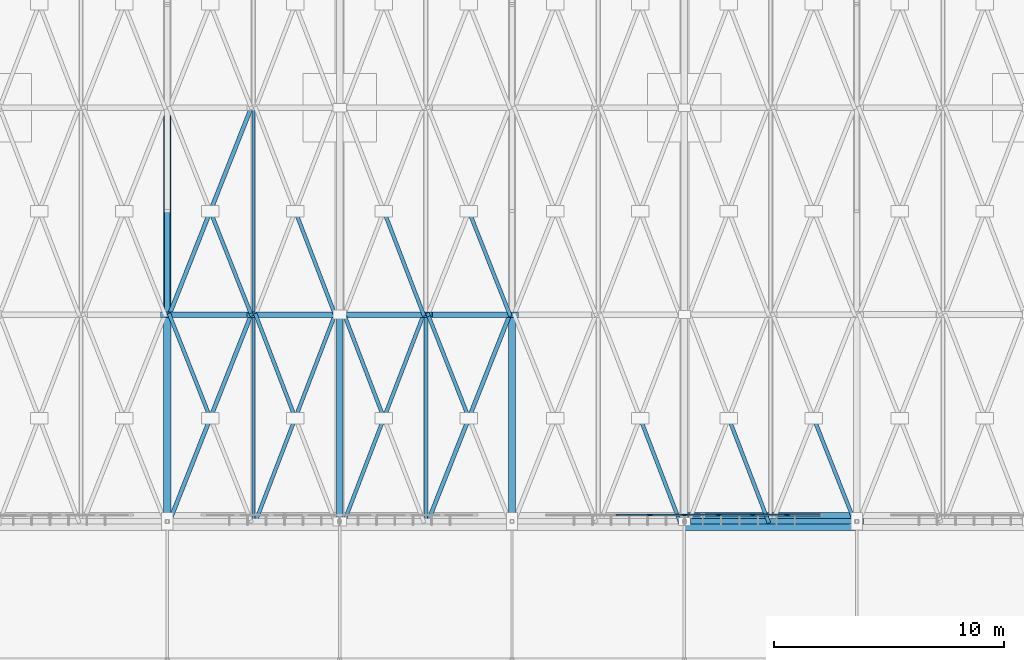
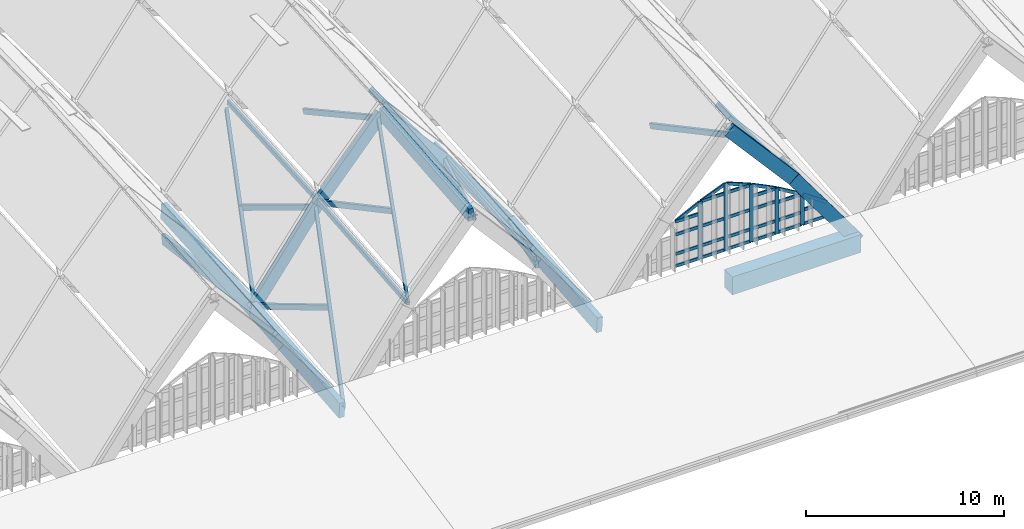
# One storey, part 35 of 93: 52 members, 11 beams, 1 element without a shape of its own.
"""IFC4 building model written with IfcOpenShell, lengths in metres."""

from ifc_helpers import new_model, si_unit, direction, frame, origin, origin_2d, place, context, subcontext, project, spatial, rectangle, extrude, material, material_profile, profile_set, type_object, element, aggregate, save


model = new_model("IFC4")

# Units and contexts
model_context = context("Model", 3, precision=1e-05, world=origin(), true_north=direction((0.0, 1.0)))
body_context = subcontext(model_context, "Body", "Model", "MODEL_VIEW")
ifc_project = project(units=[si_unit("LENGTHUNIT", "METRE"), si_unit("AREAUNIT", "SQUARE_METRE"), si_unit("VOLUMEUNIT", "CUBIC_METRE"), si_unit("PLANEANGLEUNIT", "RADIAN"), si_unit("MASSUNIT", "GRAM", prefix="KILO")], contexts=[model_context])

# Site, building, storey
site_placement = place(None, origin())
site = spatial("IfcSite", under=ifc_project, at=site_placement, CompositionType="ELEMENT")
building_placement = place(site_placement, origin())
building = spatial("IfcBuilding", under=site, at=building_placement, Name="Vourika Railside Aquatics Centre", CompositionType="ELEMENT")
storey_placement = place(building_placement, frame((0.0, 0.0, 21.89990234375)))
storey = spatial("IfcBuildingStorey", under=building, at=storey_placement, Name="Roof", CompositionType="ELEMENT", Elevation=21.89990234375)

# Beams
ifc_material_1 = material(Name="Glulam GL32h", Category="wood")
ifc_material_profile_1 = material_profile(ifc_material_1, rectangle(XDim=0.239990234375, YDim=0.719970703125, at=origin_2d()), Name="GL32h 240x720")
ifc_profile_set_1 = profile_set([ifc_material_profile_1], Name="Glulam GL32h")
beam_type_1 = type_object("IfcBeamType", Name="BM-GL-ARCH-240x720", PredefinedType="BEAM", material=ifc_profile_set_1)
beam_1_placement = place(storey_placement, frame((96.0, 21.0, -10.89990234375), z_axis=(0.592383087934, 0.0, 0.805656426233), x_axis=(0.0, 1.0, 0.0)))
element("IfcBeam", 1, at=beam_1_placement, inside=storey, type_object=beam_type_1, Name="Pointed Glulam Vault Arch Rib GAR-0141", PredefinedType="BEAM", context=body_context, shape_type="SweptSolid", body=[
    extrude(rectangle(XDim=0.239990234375, YDim=0.719970703125, at=origin_2d()), origin(), (0.0, 0.0, 1.0), 6.330322265625),
])
for number, where, z_axis, x_axis, name in (
    (2, (99.75, 21.0, -5.7998046875), (0.657279819973, 0.0, 0.753646626912), (0.0, 1.0, 0.0), "Pointed Glulam Vault Arch Rib GAR-0142"),
    (3, (103.5, 21.0, -1.5), (0.657279819973, 0.0, -0.753646626912), (0.0, 1.0, 0.0), "Pointed Glulam Vault Arch Rib GAR-0143"),
):
    element("IfcBeam", number, at=place(storey_placement, frame(where, z_axis=z_axis, x_axis=x_axis)), inside=storey, type_object=beam_type_1, Name=name, PredefinedType="BEAM", context=body_context, shape_type="SweptSolid", body=[
        extrude(rectangle(XDim=0.239990234375, YDim=0.719970703125, at=origin_2d()), origin(), (0.0, 0.0, 1.0), 5.705322265625),
    ])
beam_2_placement = place(storey_placement, frame((107.25, 21.0, -5.7998046875), z_axis=(0.592383087934, 0.0, -0.805656426233), x_axis=(0.0, 1.0, 0.0)))
element("IfcBeam", 4, at=beam_2_placement, inside=storey, type_object=beam_type_1, Name="Pointed Glulam Vault Arch Rib GAR-0144", PredefinedType="BEAM", context=body_context, shape_type="SweptSolid", body=[
    extrude(rectangle(XDim=0.239990234375, YDim=0.719970703125, at=origin_2d()), origin(), (0.0, 0.0, 1.0), 6.330322265625),
])
beam_3_placement = place(storey_placement, frame((118.5, 12.0, -2.2998046875), z_axis=(0.657258623263, 0.0, -0.75366511273), x_axis=(0.0, 1.0, 0.0)))
element("IfcBeam", 5, at=beam_3_placement, inside=storey, type_object=beam_type_1, Name="Pointed Glulam Vault Arch Rib GAR-0173", PredefinedType="BEAM", context=body_context, shape_type="SweptSolid", body=[
    extrude(rectangle(XDim=0.239990234375, YDim=0.719970703125, at=origin_2d()), origin(), (0.0, 0.0, 1.0), 5.70556640625),
])
beam_4_placement = place(storey_placement, frame((122.25, 12.0, -6.599853515625), z_axis=(0.592383087934, 0.0, -0.805656426233), x_axis=(0.0, 1.0, 0.0)))
element("IfcBeam", 6, at=beam_4_placement, inside=storey, type_object=beam_type_1, Name="Pointed Glulam Vault Arch Rib GAR-0174", PredefinedType="BEAM", context=body_context, shape_type="SweptSolid", body=[
    extrude(rectangle(XDim=0.239990234375, YDim=0.719970703125, at=origin_2d()), origin(), (0.0, 0.0, 1.0), 6.330322265625),
])
ifc_material_profile_2 = material_profile(ifc_material_1, rectangle(XDim=0.280029296875, YDim=0.800048828125, at=origin_2d()), Name="GL32h 280x800")
ifc_profile_set_2 = profile_set([ifc_material_profile_2], Name="Glulam GL32h")
beam_type_2 = type_object("IfcBeamType", Name="BM-GL-RIDGE-280x800", PredefinedType="BEAM", material=ifc_profile_set_2)
beam_5_placement = place(storey_placement, frame((103.5, 12.0, -2.2998046875), z_axis=(0.0, 0.996074546839, 0.088518343518), x_axis=(-1.0, 0.0, 0.0)))
element("IfcBeam", 7, at=beam_5_placement, inside=storey, type_object=beam_type_2, Name="Vault Pointed Ridge Beam GRB-0165", PredefinedType="BEAM", context=body_context, shape_type="SweptSolid", body=[
    extrude(rectangle(XDim=0.280029296875, YDim=0.800048828125, at=origin_2d()), origin(), (0.0, 0.0, 1.0), 9.035400390625),
])
ifc_material_profile_3 = material_profile(ifc_material_1, rectangle(XDim=0.320068359375, YDim=0.9599609375, at=origin_2d()), Name="GL32h 320x960")
ifc_profile_set_3 = profile_set([ifc_material_profile_3], Name="Glulam GL32h")
beam_type_3 = type_object("IfcBeamType", Name="BM-GL-VAL-320x960", PredefinedType="BEAM", material=ifc_profile_set_3)
beam_6_placement = place(storey_placement, frame((96.0, 12.0, -11.699951171875), z_axis=(0.0, 0.996072164085, 0.088545151956), x_axis=(-1.0, 0.0, 0.0)))
element("IfcBeam", 8, at=beam_6_placement, inside=storey, type_object=beam_type_3, Name="Vault Valley Arch Rib VTR-025", PredefinedType="BEAM", context=body_context, shape_type="SweptSolid", body=[
    extrude(rectangle(XDim=0.320068359375, YDim=0.9599609375, at=origin_2d()), origin(), (0.0, 0.0, 1.0), 9.035400390625),
])
beam_7_placement = place(storey_placement, frame((96.0, 21.0, -10.89990234375), z_axis=(0.0, 0.997889191565, 0.064939674766), x_axis=(-1.0, 0.0, 0.0)))
element("IfcBeam", 9, at=beam_7_placement, inside=storey, type_object=beam_type_3, Name="Vault Valley Arch Rib VTR-026", PredefinedType="BEAM", context=body_context, shape_type="SweptSolid", body=[
    extrude(rectangle(XDim=0.320068359375, YDim=0.9599609375, at=origin_2d()), origin(), (0.0, 0.0, 1.0), 9.01904296875),
])
beam_8_placement = place(storey_placement, frame((111.0, 12.0, -11.699951171875), z_axis=(0.0, 0.996072164085, 0.088545151956), x_axis=(-1.0, 0.0, 0.0)))
element("IfcBeam", 10, at=beam_8_placement, inside=storey, type_object=beam_type_3, Name="Vault Valley Arch Rib VTR-031", PredefinedType="BEAM", context=body_context, shape_type="SweptSolid", body=[
    extrude(rectangle(XDim=0.320068359375, YDim=0.9599609375, at=origin_2d()), origin(), (0.0, 0.0, 1.0), 9.035400390625),
])
ifc_material_2 = material(Name="Concrete C40/50", Category="concrete")
ifc_material_profile_4 = material_profile(ifc_material_2, rectangle(XDim=0.800048828125, YDim=1.10009765625, at=origin_2d()), Name="RC 800x1100")
ifc_profile_set_4 = profile_set([ifc_material_profile_4], Name="Concrete C40/50")
beam_type_4 = type_object("IfcBeamType", Name="BM-RING-800x1100", PredefinedType="BEAM", material=ifc_profile_set_4)
beam_9_placement = place(storey_placement, frame((118.5, 12.0, -11.699951171875), z_axis=(1.0, 0.0, 0.0), x_axis=(0.0, 1.0, 0.0)))
element("IfcBeam", 11, at=beam_9_placement, inside=storey, type_object=beam_type_4, Name="Vault Springing Ring Beam S (118.5-126.0)", PredefinedType="BEAM", context=body_context, shape_type="SweptSolid", body=[
    extrude(rectangle(XDim=0.800048828125, YDim=1.10009765625, at=origin_2d()), origin(), (0.0, 0.0, 1.0), 7.5),
])

# Curtain wall, members
ifc_material_3 = material(Name="Anodized thermally broken aluminium", Category="aluminium")
curtain_wall_type = type_object("IfcCurtainWallType", Name="CW-VLTS1", PredefinedType="NOTDEFINED", material=ifc_material_3)
curtain_wall_placement = place(storey_placement, origin())
curtain_wall = element("IfcCurtainWall", 12, at=curtain_wall_placement, inside=storey, type_object=curtain_wall_type, Name="South Boulevard Pointed-Arch Clerestory Curtain Wall Bay 6", PredefinedType="NOTDEFINED")
ifc_material_4 = material(Name="Anodized aluminium mullion", Category="aluminium")
ifc_material_profile_5 = material_profile(ifc_material_4, rectangle(XDim=0.08203125, YDim=0.235107421875, at=origin_2d()), Name="ALU-M 82x235")
ifc_profile_set_5 = profile_set([ifc_material_profile_5], Name="Anodized aluminium mullion")
member_type_1 = type_object("IfcMemberType", Name="CWM-VLTS1", PredefinedType="MULLION", material=ifc_profile_set_5)
member_1_placement = place(storey_placement, frame((117.012451171875, 12.280029296875, -9.8798828125), z_axis=(0.0, 0.0, 1.0), x_axis=(0.0, 1.0, 0.0)))
member_1 = element("IfcMember", 13, at=member_1_placement, type_object=member_type_1, Name="CW03 arch mullion 4", PredefinedType="MULLION", context=body_context, shape_type="SweptSolid", body=[
    extrude(rectangle(XDim=0.08203125, YDim=0.235107421875, at=origin_2d()), origin(), (0.0, 0.0, 1.0), 3.531005859375),
])
member_2_placement = place(storey_placement, frame((118.5, 12.280029296875, -9.8798828125), z_axis=(0.0, 0.0, 1.0), x_axis=(0.0, 1.0, 0.0)))
member_2 = element("IfcMember", 14, at=member_2_placement, type_object=member_type_1, Name="CW03 arch mullion 5", PredefinedType="MULLION", context=body_context, shape_type="SweptSolid", body=[
    extrude(rectangle(XDim=0.08203125, YDim=0.235107421875, at=origin_2d()), origin(), (0.0, 0.0, 1.0), 4.1298828125),
])
member_3_placement = place(storey_placement, frame((119.987548828125, 12.280029296875, -9.8798828125), z_axis=(0.0, 0.0, 1.0), x_axis=(0.0, 1.0, 0.0)))
member_3 = element("IfcMember", 15, at=member_3_placement, type_object=member_type_1, Name="CW03 arch mullion 6", PredefinedType="MULLION", context=body_context, shape_type="SweptSolid", body=[
    extrude(rectangle(XDim=0.08203125, YDim=0.235107421875, at=origin_2d()), origin(), (0.0, 0.0, 1.0), 3.531005859375),
])
member_4_placement = place(storey_placement, frame((121.47509765625, 12.280029296875, -9.8798828125), z_axis=(0.0, 0.0, 1.0), x_axis=(0.0, 1.0, 0.0)))
member_4 = element("IfcMember", 16, at=member_4_placement, type_object=member_type_1, Name="CW03 arch mullion 7", PredefinedType="MULLION", context=body_context, shape_type="SweptSolid", body=[
    extrude(rectangle(XDim=0.08203125, YDim=0.235107421875, at=origin_2d()), origin(), (0.0, 0.0, 1.0), 2.7890625),
])
member_5_placement = place(storey_placement, frame((122.96240234375, 12.280029296875, -9.8798828125), z_axis=(0.0, 0.0, 1.0), x_axis=(0.0, 1.0, 0.0)))
member_5 = element("IfcMember", 17, at=member_5_placement, type_object=member_type_1, Name="CW03 arch mullion 8", PredefinedType="MULLION", context=body_context, shape_type="SweptSolid", body=[
    extrude(rectangle(XDim=0.08203125, YDim=0.235107421875, at=origin_2d()), origin(), (0.0, 0.0, 1.0), 1.906005859375),
])
ifc_material_5 = material(Name="Anodized aluminium transom", Category="aluminium")
ifc_material_profile_6 = material_profile(ifc_material_5, rectangle(XDim=0.08203125, YDim=0.18505859375, at=origin_2d()), Name="ALU-T 82x185")
ifc_profile_set_6 = profile_set([ifc_material_profile_6], Name="Anodized aluminium transom")
member_type_2 = type_object("IfcMemberType", Name="CWT-VLTS1", PredefinedType="USERDEFINED", material=ifc_profile_set_6)
member_6_placement = place(storey_placement, frame((115.56591796875, 12.280029296875, -9.8388671875), z_axis=(1.0, 0.0, 0.0), x_axis=(0.0, 1.0, 0.0)))
member_6 = element("IfcMember", 18, at=member_6_placement, type_object=member_type_2, Name="CW03 transom 3.1", ObjectType="TRANSOM", PredefinedType="USERDEFINED", context=body_context, shape_type="SweptSolid", body=[
    extrude(rectangle(XDim=0.08203125, YDim=0.18505859375, at=origin_2d()), origin(), (0.0, 0.0, 1.0), 1.405517578125),
])
member_7_placement = place(storey_placement, frame((115.56591796875, 12.280029296875, -9.099853515625), z_axis=(1.0, 0.0, 0.0), x_axis=(0.0, 1.0, 0.0)))
member_7 = element("IfcMember", 19, at=member_7_placement, type_object=member_type_2, Name="CW03 transom 3.2", ObjectType="TRANSOM", PredefinedType="USERDEFINED", context=body_context, shape_type="SweptSolid", body=[
    extrude(rectangle(XDim=0.08203125, YDim=0.18505859375, at=origin_2d()), origin(), (0.0, 0.0, 1.0), 1.405517578125),
])
member_8_placement = place(storey_placement, frame((115.56591796875, 12.280029296875, -7.89990234375), z_axis=(1.0, 0.0, 0.0), x_axis=(0.0, 1.0, 0.0)))
member_8 = element("IfcMember", 20, at=member_8_placement, type_object=member_type_2, Name="CW03 transom 3.3", ObjectType="TRANSOM", PredefinedType="USERDEFINED", context=body_context, shape_type="SweptSolid", body=[
    extrude(rectangle(XDim=0.08203125, YDim=0.18505859375, at=origin_2d()), origin(), (0.0, 0.0, 1.0), 1.405517578125),
])
member_9_placement = place(storey_placement, frame((115.56591796875, 12.280029296875, -7.10888671875), z_axis=(1.0, 0.0, 0.0), x_axis=(0.0, 1.0, 0.0)))
member_9 = element("IfcMember", 21, at=member_9_placement, type_object=member_type_2, Name="CW03 transom 3.4", ObjectType="TRANSOM", PredefinedType="USERDEFINED", context=body_context, shape_type="SweptSolid", body=[
    extrude(rectangle(XDim=0.08203125, YDim=0.18505859375, at=origin_2d()), origin(), (0.0, 0.0, 1.0), 1.405517578125),
])
member_10_placement = place(storey_placement, frame((115.56591796875, 12.280029296875, -7.10888671875), z_axis=(0.895141289392, 0.0, 0.445782538942), x_axis=(0.0, 1.0, 0.0)))
member_10 = element("IfcMember", 22, at=member_10_placement, type_object=member_type_2, Name="CW03 arch chord transom 3", ObjectType="TRANSOM", PredefinedType="USERDEFINED", context=body_context, shape_type="SweptSolid", body=[
    extrude(rectangle(XDim=0.08203125, YDim=0.18505859375, at=origin_2d()), origin(), (0.0, 0.0, 1.0), 1.570068359375),
])
member_11_placement = place(storey_placement, frame((117.053466796875, 12.280029296875, -9.8388671875), z_axis=(1.0, 0.0, 0.0), x_axis=(0.0, 1.0, 0.0)))
member_11 = element("IfcMember", 23, at=member_11_placement, type_object=member_type_2, Name="CW03 transom 4.1", ObjectType="TRANSOM", PredefinedType="USERDEFINED", context=body_context, shape_type="SweptSolid", body=[
    extrude(rectangle(XDim=0.08203125, YDim=0.18505859375, at=origin_2d()), origin(), (0.0, 0.0, 1.0), 1.405517578125),
])
member_12_placement = place(storey_placement, frame((117.053466796875, 12.280029296875, -9.099853515625), z_axis=(1.0, 0.0, 0.0), x_axis=(0.0, 1.0, 0.0)))
member_12 = element("IfcMember", 24, at=member_12_placement, type_object=member_type_2, Name="CW03 transom 4.2", ObjectType="TRANSOM", PredefinedType="USERDEFINED", context=body_context, shape_type="SweptSolid", body=[
    extrude(rectangle(XDim=0.08203125, YDim=0.18505859375, at=origin_2d()), origin(), (0.0, 0.0, 1.0), 1.405517578125),
])
member_13_placement = place(storey_placement, frame((117.053466796875, 12.280029296875, -7.89990234375), z_axis=(1.0, 0.0, 0.0), x_axis=(0.0, 1.0, 0.0)))
member_13 = element("IfcMember", 25, at=member_13_placement, type_object=member_type_2, Name="CW03 transom 4.3", ObjectType="TRANSOM", PredefinedType="USERDEFINED", context=body_context, shape_type="SweptSolid", body=[
    extrude(rectangle(XDim=0.08203125, YDim=0.18505859375, at=origin_2d()), origin(), (0.0, 0.0, 1.0), 1.405517578125),
])
member_14_placement = place(storey_placement, frame((117.053466796875, 12.280029296875, -6.371826171875), z_axis=(1.0, 0.0, 0.0), x_axis=(0.0, 1.0, 0.0)))
member_14 = element("IfcMember", 26, at=member_14_placement, type_object=member_type_2, Name="CW03 transom 4.4", ObjectType="TRANSOM", PredefinedType="USERDEFINED", context=body_context, shape_type="SweptSolid", body=[
    extrude(rectangle(XDim=0.08203125, YDim=0.18505859375, at=origin_2d()), origin(), (0.0, 0.0, 1.0), 1.405517578125),
])
member_15_placement = place(storey_placement, frame((117.053466796875, 12.280029296875, -6.371826171875), z_axis=(0.927629742849, 0.0, 0.373501084579), x_axis=(0.0, 1.0, 0.0)))
member_15 = element("IfcMember", 27, at=member_15_placement, type_object=member_type_2, Name="CW03 arch chord transom 4", ObjectType="TRANSOM", PredefinedType="USERDEFINED", context=body_context, shape_type="SweptSolid", body=[
    extrude(rectangle(XDim=0.08203125, YDim=0.18505859375, at=origin_2d()), origin(), (0.0, 0.0, 1.0), 1.51513671875),
])
member_16_placement = place(storey_placement, frame((118.541015625, 12.280029296875, -9.8388671875), z_axis=(1.0, 0.0, 0.0), x_axis=(0.0, 1.0, 0.0)))
member_16 = element("IfcMember", 28, at=member_16_placement, type_object=member_type_2, Name="CW03 transom 5.1", ObjectType="TRANSOM", PredefinedType="USERDEFINED", context=body_context, shape_type="SweptSolid", body=[
    extrude(rectangle(XDim=0.08203125, YDim=0.18505859375, at=origin_2d()), origin(), (0.0, 0.0, 1.0), 1.405517578125),
])
member_17_placement = place(storey_placement, frame((118.541015625, 12.280029296875, -9.099853515625), z_axis=(1.0, 0.0, 0.0), x_axis=(0.0, 1.0, 0.0)))
member_17 = element("IfcMember", 29, at=member_17_placement, type_object=member_type_2, Name="CW03 transom 5.2", ObjectType="TRANSOM", PredefinedType="USERDEFINED", context=body_context, shape_type="SweptSolid", body=[
    extrude(rectangle(XDim=0.08203125, YDim=0.18505859375, at=origin_2d()), origin(), (0.0, 0.0, 1.0), 1.405517578125),
])
member_18_placement = place(storey_placement, frame((118.541015625, 12.280029296875, -7.89990234375), z_axis=(1.0, 0.0, 0.0), x_axis=(0.0, 1.0, 0.0)))
member_18 = element("IfcMember", 30, at=member_18_placement, type_object=member_type_2, Name="CW03 transom 5.3", ObjectType="TRANSOM", PredefinedType="USERDEFINED", context=body_context, shape_type="SweptSolid", body=[
    extrude(rectangle(XDim=0.08203125, YDim=0.18505859375, at=origin_2d()), origin(), (0.0, 0.0, 1.0), 1.405517578125),
])
member_19_placement = place(storey_placement, frame((118.541015625, 12.280029296875, -6.371826171875), z_axis=(1.0, 0.0, 0.0), x_axis=(0.0, 1.0, 0.0)))
member_19 = element("IfcMember", 31, at=member_19_placement, type_object=member_type_2, Name="CW03 transom 5.4", ObjectType="TRANSOM", PredefinedType="USERDEFINED", context=body_context, shape_type="SweptSolid", body=[
    extrude(rectangle(XDim=0.08203125, YDim=0.18505859375, at=origin_2d()), origin(), (0.0, 0.0, 1.0), 1.405517578125),
])
member_20_placement = place(storey_placement, frame((118.541015625, 12.280029296875, -5.805908203125), z_axis=(0.927629742849, 0.0, -0.373501084579), x_axis=(0.0, 1.0, 0.0)))
member_20 = element("IfcMember", 32, at=member_20_placement, type_object=member_type_2, Name="CW03 arch chord transom 5", ObjectType="TRANSOM", PredefinedType="USERDEFINED", context=body_context, shape_type="SweptSolid", body=[
    extrude(rectangle(XDim=0.08203125, YDim=0.18505859375, at=origin_2d()), origin(), (0.0, 0.0, 1.0), 1.51513671875),
])
member_21_placement = place(storey_placement, frame((120.028564453125, 12.280029296875, -9.8388671875), z_axis=(1.0, 0.0, 0.0), x_axis=(0.0, 1.0, 0.0)))
member_21 = element("IfcMember", 33, at=member_21_placement, type_object=member_type_2, Name="CW03 transom 6.1", ObjectType="TRANSOM", PredefinedType="USERDEFINED", context=body_context, shape_type="SweptSolid", body=[
    extrude(rectangle(XDim=0.08203125, YDim=0.18505859375, at=origin_2d()), origin(), (0.0, 0.0, 1.0), 1.405517578125),
])
member_22_placement = place(storey_placement, frame((120.028564453125, 12.280029296875, -9.099853515625), z_axis=(1.0, 0.0, 0.0), x_axis=(0.0, 1.0, 0.0)))
member_22 = element("IfcMember", 34, at=member_22_placement, type_object=member_type_2, Name="CW03 transom 6.2", ObjectType="TRANSOM", PredefinedType="USERDEFINED", context=body_context, shape_type="SweptSolid", body=[
    extrude(rectangle(XDim=0.08203125, YDim=0.18505859375, at=origin_2d()), origin(), (0.0, 0.0, 1.0), 1.405517578125),
])
member_23_placement = place(storey_placement, frame((120.028564453125, 12.280029296875, -7.89990234375), z_axis=(1.0, 0.0, 0.0), x_axis=(0.0, 1.0, 0.0)))
member_23 = element("IfcMember", 35, at=member_23_placement, type_object=member_type_2, Name="CW03 transom 6.3", ObjectType="TRANSOM", PredefinedType="USERDEFINED", context=body_context, shape_type="SweptSolid", body=[
    extrude(rectangle(XDim=0.08203125, YDim=0.18505859375, at=origin_2d()), origin(), (0.0, 0.0, 1.0), 1.405517578125),
])
member_24_placement = place(storey_placement, frame((120.028564453125, 12.280029296875, -7.10888671875), z_axis=(1.0, 0.0, 0.0), x_axis=(0.0, 1.0, 0.0)))
member_24 = element("IfcMember", 36, at=member_24_placement, type_object=member_type_2, Name="CW03 transom 6.4", ObjectType="TRANSOM", PredefinedType="USERDEFINED", context=body_context, shape_type="SweptSolid", body=[
    extrude(rectangle(XDim=0.08203125, YDim=0.18505859375, at=origin_2d()), origin(), (0.0, 0.0, 1.0), 1.405517578125),
])
member_25_placement = place(storey_placement, frame((120.028564453125, 12.280029296875, -6.408935546875), z_axis=(0.895141289392, 0.0, -0.445782538942), x_axis=(0.0, 1.0, 0.0)))
member_25 = element("IfcMember", 37, at=member_25_placement, type_object=member_type_2, Name="CW03 arch chord transom 6", ObjectType="TRANSOM", PredefinedType="USERDEFINED", context=body_context, shape_type="SweptSolid", body=[
    extrude(rectangle(XDim=0.08203125, YDim=0.18505859375, at=origin_2d()), origin(), (0.0, 0.0, 1.0), 1.570068359375),
])
member_26_placement = place(storey_placement, frame((121.51611328125, 12.280029296875, -9.8388671875), z_axis=(1.0, 0.0, 0.0), x_axis=(0.0, 1.0, 0.0)))
member_26 = element("IfcMember", 38, at=member_26_placement, type_object=member_type_2, Name="CW03 transom 7.1", ObjectType="TRANSOM", PredefinedType="USERDEFINED", context=body_context, shape_type="SweptSolid", body=[
    extrude(rectangle(XDim=0.08203125, YDim=0.18505859375, at=origin_2d()), origin(), (0.0, 0.0, 1.0), 1.4052734375),
])
member_27_placement = place(storey_placement, frame((121.51611328125, 12.280029296875, -9.099853515625), z_axis=(1.0, 0.0, 0.0), x_axis=(0.0, 1.0, 0.0)))
member_27 = element("IfcMember", 39, at=member_27_placement, type_object=member_type_2, Name="CW03 transom 7.2", ObjectType="TRANSOM", PredefinedType="USERDEFINED", context=body_context, shape_type="SweptSolid", body=[
    extrude(rectangle(XDim=0.08203125, YDim=0.18505859375, at=origin_2d()), origin(), (0.0, 0.0, 1.0), 1.4052734375),
])
member_28_placement = place(storey_placement, frame((121.51611328125, 12.280029296875, -7.989013671875), z_axis=(1.0, 0.0, 0.0), x_axis=(0.0, 1.0, 0.0)))
member_28 = element("IfcMember", 40, at=member_28_placement, type_object=member_type_2, Name="CW03 transom 7.3", ObjectType="TRANSOM", PredefinedType="USERDEFINED", context=body_context, shape_type="SweptSolid", body=[
    extrude(rectangle(XDim=0.08203125, YDim=0.18505859375, at=origin_2d()), origin(), (0.0, 0.0, 1.0), 1.4052734375),
])
member_29_placement = place(storey_placement, frame((121.51611328125, 12.280029296875, -7.15380859375), z_axis=(0.859633394337, 0.0, -0.510911369359), x_axis=(0.0, 1.0, 0.0)))
member_29 = element("IfcMember", 41, at=member_29_placement, type_object=member_type_2, Name="CW03 arch chord transom 7", ObjectType="TRANSOM", PredefinedType="USERDEFINED", context=body_context, shape_type="SweptSolid", body=[
    extrude(rectangle(XDim=0.08203125, YDim=0.18505859375, at=origin_2d()), origin(), (0.0, 0.0, 1.0), 1.634765625),
])
member_30_placement = place(storey_placement, frame((123.00341796875, 12.280029296875, -9.8388671875), z_axis=(1.0, 0.0, 0.0), x_axis=(0.0, 1.0, 0.0)))
member_30 = element("IfcMember", 42, at=member_30_placement, type_object=member_type_2, Name="CW03 transom 8.1", ObjectType="TRANSOM", PredefinedType="USERDEFINED", context=body_context, shape_type="SweptSolid", body=[
    extrude(rectangle(XDim=0.08203125, YDim=0.18505859375, at=origin_2d()), origin(), (0.0, 0.0, 1.0), 1.364501953125),
])
member_31_placement = place(storey_placement, frame((123.00341796875, 12.280029296875, -8.98095703125), z_axis=(1.0, 0.0, 0.0), x_axis=(0.0, 1.0, 0.0)))
member_31 = element("IfcMember", 43, at=member_31_placement, type_object=member_type_2, Name="CW03 transom 8.2", ObjectType="TRANSOM", PredefinedType="USERDEFINED", context=body_context, shape_type="SweptSolid", body=[
    extrude(rectangle(XDim=0.08203125, YDim=0.18505859375, at=origin_2d()), origin(), (0.0, 0.0, 1.0), 1.364501953125),
])
member_32_placement = place(storey_placement, frame((123.00341796875, 12.280029296875, -8.0419921875), z_axis=(0.823796708212, 0.0, -0.566885335442), x_axis=(0.0, 1.0, 0.0)))
member_32 = element("IfcMember", 44, at=member_32_placement, type_object=member_type_2, Name="CW03 arch chord transom 8", ObjectType="TRANSOM", PredefinedType="USERDEFINED", context=body_context, shape_type="SweptSolid", body=[
    extrude(rectangle(XDim=0.08203125, YDim=0.18505859375, at=origin_2d()), origin(), (0.0, 0.0, 1.0), 1.65625),
])
aggregate(curtain_wall, [member_1, member_2, member_3, member_4, member_5, member_6, member_7, member_8, member_9, member_10, member_11, member_12, member_13, member_14, member_15, member_16, member_17, member_18, member_19, member_20, member_21, member_22, member_23, member_24, member_25, member_26, member_27, member_28, member_29, member_30, member_31, member_32])

# Members
ifc_material_profile_7 = material_profile(ifc_material_1, rectangle(XDim=0.219970703125, YDim=0.60009765625, at=origin_2d()), Name="GL32h 220x600")
ifc_profile_set_7 = profile_set([ifc_material_profile_7], Name="Glulam GL32h")
member_type_3 = type_object("IfcMemberType", Name="MEM-GL-CHORD", PredefinedType="CHORD", material=ifc_profile_set_7)
member_33_placement = place(storey_placement, frame((96.0, 21.0, -10.89990234375), z_axis=(0.0, 0.991735627786, -0.128298264131), x_axis=(-1.0, 0.0, 0.0)))
element("IfcMember", 45, at=member_33_placement, inside=storey, type_object=member_type_3, Name="Valley Arch Truss Bottom Chord VBC-026", PredefinedType="CHORD", context=body_context, shape_type="SweptSolid", body=[
    extrude(rectangle(XDim=0.219970703125, YDim=0.60009765625, at=origin_2d()), origin(), (0.0, 0.0, 1.0), 9.074951171875),
])
ifc_material_6 = material(Name="Glulam GL28h", Category="wood")
ifc_material_profile_8 = material_profile(ifc_material_6, rectangle(XDim=0.179931640625, YDim=0.360107421875, at=origin_2d()), Name="GL28h 180x360")
ifc_profile_set_8 = profile_set([ifc_material_profile_8], Name="Glulam GL28h")
member_type_4 = type_object("IfcMemberType", Name="MEM-GL-LATH1", PredefinedType="BRACE", material=ifc_profile_set_8)
member_34_placement = place(storey_placement, frame((96.094970703125, 12.0, -11.56201171875), z_axis=(0.318017835503, 0.80396444164, 0.502499584956), x_axis=(-0.929892910811, 0.367830360933, 0.0)))
element("IfcMember", 46, at=member_34_placement, inside=storey, type_object=member_type_4, Name="Gridshell Continuous Diagonal Lath GLA-0233", PredefinedType="BRACE", context=body_context, shape_type="SweptSolid", body=[
    extrude(rectangle(XDim=0.179931640625, YDim=0.360107421875, at=origin_2d()), origin(), (0.0, 0.0, 1.0), 11.194580078125),
])
member_35_placement = place(storey_placement, frame((107.344970703125, 12.0, -6.72021484375), z_axis=(0.339219023139, 0.857562067548, -0.386675257346), x_axis=(-0.929892910811, 0.367830360933, 0.0)))
element("IfcMember", 47, at=member_35_placement, inside=storey, type_object=member_type_4, Name="Gridshell Continuous Diagonal Lath GLA-0239", PredefinedType="BRACE", context=body_context, shape_type="SweptSolid", body=[
    extrude(rectangle(XDim=0.179931640625, YDim=0.360107421875, at=origin_2d()), origin(), (0.0, 0.0, 1.0), 10.494873046875),
])
member_36_placement = place(storey_placement, frame((96.094970703125, 21.0, -10.76318359375), z_axis=(0.321000574365, 0.811504949484, 0.488281013577), x_axis=(-0.929892910811, 0.367830360933, 0.0)))
element("IfcMember", 48, at=member_36_placement, inside=storey, type_object=member_type_4, Name="Gridshell Continuous Diagonal Lath GLA-0243", PredefinedType="BRACE", context=body_context, shape_type="SweptSolid", body=[
    extrude(rectangle(XDim=0.179931640625, YDim=0.360107421875, at=origin_2d()), origin(), (0.0, 0.0, 1.0), 11.090576171875),
])
ifc_material_profile_9 = material_profile(ifc_material_6, rectangle(XDim=0.159912109375, YDim=0.320068359375, at=origin_2d()), Name="GL28h 160x320")
ifc_profile_set_9 = profile_set([ifc_material_profile_9], Name="Glulam GL28h")
member_type_5 = type_object("IfcMemberType", Name="MEM-GL-LATH2", PredefinedType="BRACE", material=ifc_profile_set_9)
member_37_placement = place(storey_placement, frame((97.875, 16.5, -8.74951171875), z_axis=(-0.339225125603, 0.857577494874, -0.386635686979), x_axis=(-0.929892910811, -0.367830360933, 0.0)))
element("IfcMember", 49, at=member_37_placement, inside=storey, type_object=member_type_5, Name="Gridshell Split Counter Lath GLB2-0234", PredefinedType="BRACE", context=body_context, shape_type="SweptSolid", body=[
    extrude(rectangle(XDim=0.159912109375, YDim=0.320068359375, at=origin_2d()), origin(), (0.0, 0.0, 1.0), 5.247314453125),
])
member_38_placement = place(storey_placement, frame((99.844970703125, 12.0, -6.482177734375), z_axis=(0.321550791273, 0.837595277664, 0.441632471028), x_axis=(-0.933569951957, 0.358395235463, 0.0)))
element("IfcMember", 50, at=member_38_placement, inside=storey, type_object=member_type_5, Name="Gridshell Continuous Diagonal Lath GLA-0235", PredefinedType="BRACE", context=body_context, shape_type="SweptSolid", body=[
    extrude(rectangle(XDim=0.159912109375, YDim=0.320068359375, at=origin_2d()), origin(), (0.0, 0.0, 1.0), 10.7451171875),
])
member_39_placement = place(storey_placement, frame((101.572509765625, 16.5, -4.109619140625), z_axis=(-0.340380210662, 0.886643307367, -0.313057435131), x_axis=(-0.933569951957, -0.358395235463, 0.0)))
element("IfcMember", 51, at=member_39_placement, inside=storey, type_object=member_type_5, Name="Gridshell Split Counter Lath GLB2-0236", PredefinedType="BRACE", context=body_context, shape_type="SweptSolid", body=[
    extrude(rectangle(XDim=0.159912109375, YDim=0.320068359375, at=origin_2d()), origin(), (0.0, 0.0, 1.0), 5.075439453125),
])
member_40_placement = place(storey_placement, frame((103.699951171875, 12.0, -2.5205078125), z_axis=(0.340377647674, 0.886636631138, -0.313079129436), x_axis=(-0.933569951957, 0.358395235463, 0.0)))
element("IfcMember", 52, at=member_40_placement, inside=storey, type_object=member_type_5, Name="Gridshell Continuous Diagonal Lath GLA-0237", PredefinedType="BRACE", context=body_context, shape_type="SweptSolid", body=[
    extrude(rectangle(XDim=0.159912109375, YDim=0.320068359375, at=origin_2d()), origin(), (0.0, 0.0, 1.0), 10.150634765625),
])
member_41_placement = place(storey_placement, frame((105.427490234375, 16.5, -4.109619140625), z_axis=(-0.32154756466, 0.837586872782, 0.441650760448), x_axis=(-0.933569951957, -0.358395235463, 0.0)))
element("IfcMember", 53, at=member_41_placement, inside=storey, type_object=member_type_5, Name="Gridshell Split Counter Lath GLB2-0238", PredefinedType="BRACE", context=body_context, shape_type="SweptSolid", body=[
    extrude(rectangle(XDim=0.159912109375, YDim=0.320068359375, at=origin_2d()), origin(), (0.0, 0.0, 1.0), 5.37255859375),
])
member_42_placement = place(storey_placement, frame((109.125, 16.5, -8.74951171875), z_axis=(-0.318014350334, 0.803955630964, 0.502515886737), x_axis=(-0.929892910811, -0.367830360933, 0.0)))
element("IfcMember", 54, at=member_42_placement, inside=storey, type_object=member_type_5, Name="Gridshell Split Counter Lath GLB2-0240", PredefinedType="BRACE", context=body_context, shape_type="SweptSolid", body=[
    extrude(rectangle(XDim=0.159912109375, YDim=0.320068359375, at=origin_2d()), origin(), (0.0, 0.0, 1.0), 5.597412109375),
])
member_43_placement = place(storey_placement, frame((99.655029296875, 21.0, -5.92138671875), z_axis=(-0.336558619113, 0.85083643773, -0.403491824121), x_axis=(-0.929892910811, -0.367830360933, 0.0)))
element("IfcMember", 55, at=member_43_placement, inside=storey, type_object=member_type_5, Name="Gridshell Split Counter Lath GLB1-0244", PredefinedType="BRACE", context=body_context, shape_type="SweptSolid", body=[
    extrude(rectangle(XDim=0.159912109375, YDim=0.320068359375, at=origin_2d()), origin(), (0.0, 0.0, 1.0), 5.288818359375),
])
member_44_placement = place(storey_placement, frame((103.300048828125, 21.0, -1.7216796875), z_axis=(-0.338120523205, 0.8807571345, -0.331574097021), x_axis=(-0.933569951957, -0.358395235463, 0.0)))
element("IfcMember", 56, at=member_44_placement, inside=storey, type_object=member_type_5, Name="Gridshell Split Counter Lath GLB1-0246", PredefinedType="BRACE", context=body_context, shape_type="SweptSolid", body=[
    extrude(rectangle(XDim=0.159912109375, YDim=0.320068359375, at=origin_2d()), origin(), (0.0, 0.0, 1.0), 5.109130859375),
])
member_45_placement = place(storey_placement, frame((107.155029296875, 21.0, -5.683349609375), z_axis=(-0.324302263056, 0.84476248059, 0.425681093735), x_axis=(-0.933569951957, -0.358395235463, 0.0)))
element("IfcMember", 57, at=member_45_placement, inside=storey, type_object=member_type_5, Name="Gridshell Split Counter Lath GLB1-0248", PredefinedType="BRACE", context=body_context, shape_type="SweptSolid", body=[
    extrude(rectangle(XDim=0.159912109375, YDim=0.320068359375, at=origin_2d()), origin(), (0.0, 0.0, 1.0), 5.326904296875),
])
member_46_placement = place(storey_placement, frame((110.905029296875, 21.0, -10.76318359375), z_axis=(-0.320997123983, 0.811496226753, 0.48829777837), x_axis=(-0.929892910811, -0.367830360933, 0.0)))
element("IfcMember", 58, at=member_46_placement, inside=storey, type_object=member_type_5, Name="Gridshell Split Counter Lath GLB1-0250", PredefinedType="BRACE", context=body_context, shape_type="SweptSolid", body=[
    extrude(rectangle(XDim=0.159912109375, YDim=0.320068359375, at=origin_2d()), origin(), (0.0, 0.0, 1.0), 5.54541015625),
])
member_47_placement = place(storey_placement, frame((118.300048828125, 12.0, -2.5205078125), z_axis=(-0.340375084547, 0.886629954547, -0.31310082325), x_axis=(-0.933569951957, -0.358395235463, 0.0)))
element("IfcMember", 59, at=member_47_placement, inside=storey, type_object=member_type_5, Name="Gridshell Split Counter Lath GLB1-0296", PredefinedType="BRACE", context=body_context, shape_type="SweptSolid", body=[
    extrude(rectangle(XDim=0.159912109375, YDim=0.320068359375, at=origin_2d()), origin(), (0.0, 0.0, 1.0), 5.075439453125),
])
member_48_placement = place(storey_placement, frame((122.155029296875, 12.0, -6.482177734375), z_axis=(-0.321554017818, 0.837603682367, 0.441614181057), x_axis=(-0.933569951957, -0.358395235463, 0.0)))
element("IfcMember", 60, at=member_48_placement, inside=storey, type_object=member_type_5, Name="Gridshell Split Counter Lath GLB1-0298", PredefinedType="BRACE", context=body_context, shape_type="SweptSolid", body=[
    extrude(rectangle(XDim=0.159912109375, YDim=0.320068359375, at=origin_2d()), origin(), (0.0, 0.0, 1.0), 5.37255859375),
])
member_49_placement = place(storey_placement, frame((125.905029296875, 12.0, -11.56201171875), z_axis=(-0.318021320636, 0.803973252223, 0.502483282639), x_axis=(-0.929892910811, -0.367830360933, 0.0)))
element("IfcMember", 61, at=member_49_placement, inside=storey, type_object=member_type_5, Name="Gridshell Split Counter Lath GLB1-0300", PredefinedType="BRACE", context=body_context, shape_type="SweptSolid", body=[
    extrude(rectangle(XDim=0.159912109375, YDim=0.320068359375, at=origin_2d()), origin(), (0.0, 0.0, 1.0), 5.59716796875),
])
ifc_material_profile_10 = material_profile(ifc_material_6, rectangle(XDim=0.139892578125, YDim=0.280029296875, at=origin_2d()), Name="GL28h 140x280")
ifc_profile_set_10 = profile_set([ifc_material_profile_10], Name="Glulam GL28h")
member_type_6 = type_object("IfcMemberType", Name="MEM-GL-PURLIN", PredefinedType="PURLIN", material=ifc_profile_set_10)
for number, where, z_axis, x_axis, name in (
    (62, (99.75, 12.0, -6.329833984375), (0.0, 0.996072164085, 0.088545151956), (-1.0, 0.0, 0.0), "Vault Timber Purlin GTP-0231"),
    (63, (107.25, 12.0, -6.329833984375), (0.0, 0.996072164085, 0.088545151956), (-1.0, 0.0, 0.0), "Vault Timber Purlin GTP-0232"),
):
    element("IfcMember", number, at=place(storey_placement, frame(where, z_axis=z_axis, x_axis=x_axis)), inside=storey, type_object=member_type_6, Name=name, PredefinedType="PURLIN", context=body_context, shape_type="SweptSolid", body=[
        extrude(rectangle(XDim=0.139892578125, YDim=0.280029296875, at=origin_2d()), origin(), (0.0, 0.0, 1.0), 9.035400390625),
    ])
member_50_placement = place(storey_placement, frame((99.75, 21.0, -5.52978515625), z_axis=(0.0, 0.997890945376, 0.064912719374), x_axis=(-1.0, 0.0, 0.0)))
element("IfcMember", 64, at=member_50_placement, inside=storey, type_object=member_type_6, Name="Vault Timber Purlin GTP-0241", PredefinedType="PURLIN", context=body_context, shape_type="SweptSolid", body=[
    extrude(rectangle(XDim=0.139892578125, YDim=0.280029296875, at=origin_2d()), origin(), (0.0, 0.0, 1.0), 9.01904296875),
])

save(model, "model.ifc")
